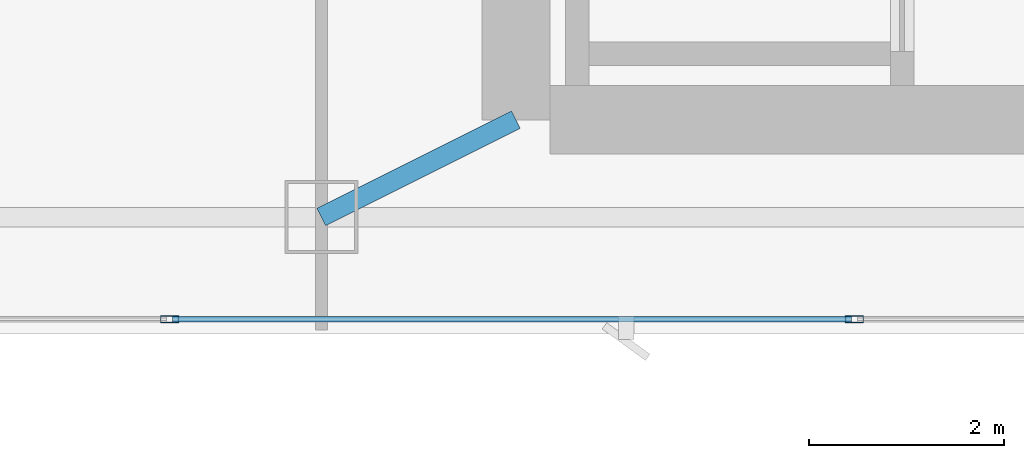
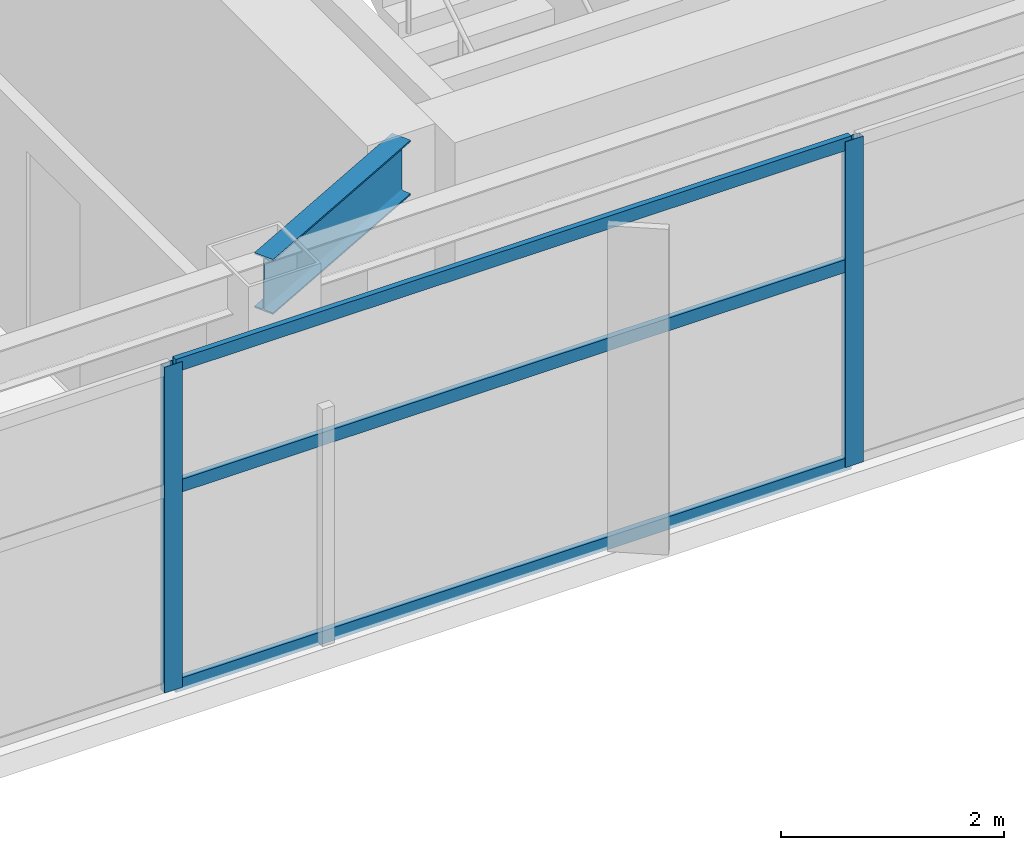
# One storey, part 6 of 27: 5 members, 1 beam, 1 element without a shape of its own.
"""IFC4 building model written with IfcOpenShell, lengths in metres."""

from ifc_helpers import new_model, si_unit, direction, frame, origin, origin_2d, place, context, subcontext, project, spatial, hollow_rectangle, i_section, extrude, material, layer, layer_set, material_profile, profile_set, type_object, element, aggregate, save


model = new_model("IFC4")

# Units and contexts
model_context = context("Model", 3, precision=1e-05, world=origin(), true_north=direction((0.0, 1.0)))
body_context = subcontext(model_context, "Body", "Model", "MODEL_VIEW")
ifc_project = project(units=[si_unit("LENGTHUNIT", "METRE"), si_unit("AREAUNIT", "SQUARE_METRE"), si_unit("VOLUMEUNIT", "CUBIC_METRE"), si_unit("PLANEANGLEUNIT", "RADIAN"), si_unit("MASSUNIT", "GRAM", prefix="KILO")], contexts=[model_context])

# Site, building, storey
site_placement = place(None, origin())
site = spatial("IfcSite", under=ifc_project, at=site_placement, CompositionType="ELEMENT")
building_placement = place(site_placement, origin())
building = spatial("IfcBuilding", under=site, at=building_placement, Name="Calvorn Quay Hotel", CompositionType="ELEMENT")
storey_placement = place(building_placement, frame((0.0, 0.0, 223.10009765625)))
storey = spatial("IfcBuildingStorey", under=building, at=storey_placement, Name="L55", CompositionType="ELEMENT", Elevation=223.10009765625)

# Beam
ifc_material_1 = material(Name="Steel Q355B", Category="steel")
ifc_material_profile_1 = material_profile(ifc_material_1, i_section(OverallWidth=0.199951171875, OverallDepth=0.60009765625, WebThickness=0.010986328125, FlangeThickness=0.01708984375, FilletRadius=0.01806640625, at=origin_2d()), Name="HN600x200x11x17")
ifc_profile_set_1 = profile_set([ifc_material_profile_1], Name="Steel Q355B")
beam_type = type_object("IfcBeamType", Name="BM-GIRD-TYP", PredefinedType="BEAM", material=ifc_profile_set_1)
beam_placement = place(storey_placement, frame((19.60009765625, 3.60009765625, 3.239990234375), z_axis=(0.894427191, 0.4472135955, 0.0), x_axis=(-0.4472135955, 0.894427191, 0.0)))
element("IfcBeam", 1, at=beam_placement, inside=storey, type_object=beam_type, Name="Beam BG-L55-S2", PredefinedType="BEAM", context=body_context, shape_type="SweptSolid", body=[
    extrude(i_section(OverallWidth=0.199951171875, OverallDepth=0.60009765625, WebThickness=0.010986328125, FlangeThickness=0.01708984375, FilletRadius=0.01806640625, at=origin_2d()), origin(), (0.0, 0.0, 1.0), 2.236083984375),
])

# Curtain wall, members
ifc_material_2 = material(Name="Champagne Bronze Anodised Aluminium and Low-E Glass", Category="aluminium")
ifc_layer = layer(ifc_material_2, 0.219970703125)
ifc_layer_set = layer_set([ifc_layer], Name="CW-SYS-Z3")
curtain_wall_type = type_object("IfcCurtainWallType", Name="CW-SYS-Z3", PredefinedType="NOTDEFINED", material=ifc_layer_set)
curtain_wall_placement = place(storey_placement, origin())
curtain_wall = element("IfcCurtainWall", 2, at=curtain_wall_placement, inside=storey, type_object=curtain_wall_type, Name="Tower South Waterfront Curtain Wall (L55)", PredefinedType="NOTDEFINED")
ifc_material_3 = material(Name="Champagne Bronze Anodised Aluminium 6063-T6", Category="aluminium")
ifc_material_profile_2 = material_profile(ifc_material_3, hollow_rectangle(XDim=0.068115234375, YDim=0.18505859375, WallThickness=0.00390625, at=origin_2d()), Name="ALU-M185x68x4")
ifc_profile_set_2 = profile_set([ifc_material_profile_2], Name="Champagne Bronze Anodised Aluminium 6063-T6")
member_type_1 = type_object("IfcMemberType", Name="CW-SYS-Z3-MUL", PredefinedType="MULLION", material=ifc_profile_set_2)
member_1_placement = place(storey_placement, frame((18.0400390625, 2.550048828125, 0.0), z_axis=(0.0, 0.0, 1.0), x_axis=(0.0, 1.0, 0.0)))
member_1 = element("IfcMember", 3, at=member_1_placement, type_object=member_type_1, Name="CW-L55-S mullion 2", PredefinedType="MULLION", context=body_context, shape_type="SweptSolid", body=[
    extrude(hollow_rectangle(XDim=0.068115234375, YDim=0.18505859375, WallThickness=0.00390625, at=origin_2d()), origin(), (0.0, 0.0, 1.0), 3.559814453125),
])
member_2_placement = place(storey_placement, frame((25.080078125, 2.550048828125, 0.0), z_axis=(0.0, 0.0, 1.0), x_axis=(0.0, 1.0, 0.0)))
member_2 = element("IfcMember", 4, at=member_2_placement, type_object=member_type_1, Name="CW-L55-S mullion 3", PredefinedType="MULLION", context=body_context, shape_type="SweptSolid", body=[
    extrude(hollow_rectangle(XDim=0.068115234375, YDim=0.18505859375, WallThickness=0.00390625, at=origin_2d()), origin(), (0.0, 0.0, 1.0), 3.559814453125),
])
ifc_material_4 = material(Name="Champagne Bronze Anodised Aluminium 6063-T6", Category="aluminium")
ifc_material_profile_3 = material_profile(ifc_material_4, hollow_rectangle(XDim=0.05810546875, YDim=0.139892578125, WallThickness=0.003173828125, at=origin_2d()), Name="ALU-T140x58x3.2")
ifc_profile_set_3 = profile_set([ifc_material_profile_3], Name="Champagne Bronze Anodised Aluminium 6063-T6")
member_type_2 = type_object("IfcMemberType", Name="CW-SYS-Z3-TRN", PredefinedType="USERDEFINED", material=ifc_profile_set_3)
member_3_placement = place(storey_placement, frame((18.070068359375, 2.550048828125, 0.02978515625), z_axis=(1.0, 0.0, 0.0), x_axis=(0.0, 1.0, 0.0)))
member_3 = element("IfcMember", 5, at=member_3_placement, type_object=member_type_2, Name="CW-L55-S transom 2.1", ObjectType="TRANSOM", PredefinedType="USERDEFINED", context=body_context, shape_type="SweptSolid", body=[
    extrude(hollow_rectangle(XDim=0.05810546875, YDim=0.139892578125, WallThickness=0.003173828125, at=origin_2d()), origin(), (0.0, 0.0, 1.0), 6.97998046875),
])
member_4_placement = place(storey_placement, frame((18.070068359375, 2.550048828125, 2.199951171875), z_axis=(1.0, 0.0, 0.0), x_axis=(0.0, 1.0, 0.0)))
member_4 = element("IfcMember", 6, at=member_4_placement, type_object=member_type_2, Name="CW-L55-S transom 2.2", ObjectType="TRANSOM", PredefinedType="USERDEFINED", context=body_context, shape_type="SweptSolid", body=[
    extrude(hollow_rectangle(XDim=0.05810546875, YDim=0.139892578125, WallThickness=0.003173828125, at=origin_2d()), origin(), (0.0, 0.0, 1.0), 6.97998046875),
])
member_5_placement = place(storey_placement, frame((18.070068359375, 2.550048828125, 3.52978515625), z_axis=(1.0, 0.0, 0.0), x_axis=(0.0, 1.0, 0.0)))
member_5 = element("IfcMember", 7, at=member_5_placement, type_object=member_type_2, Name="CW-L55-S transom 2.3", ObjectType="TRANSOM", PredefinedType="USERDEFINED", context=body_context, shape_type="SweptSolid", body=[
    extrude(hollow_rectangle(XDim=0.05810546875, YDim=0.139892578125, WallThickness=0.003173828125, at=origin_2d()), origin(), (0.0, 0.0, 1.0), 6.97998046875),
])
aggregate(curtain_wall, [member_1, member_2, member_3, member_4, member_5])

save(model, "model.ifc")
